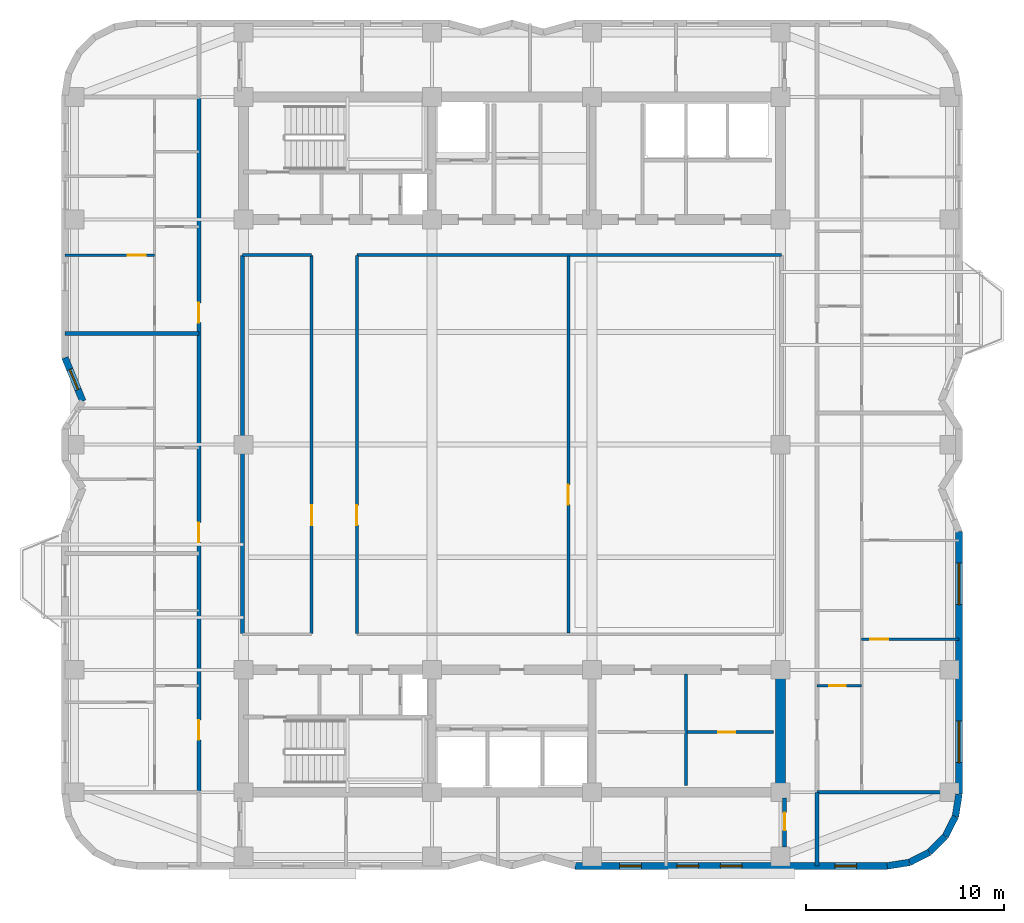
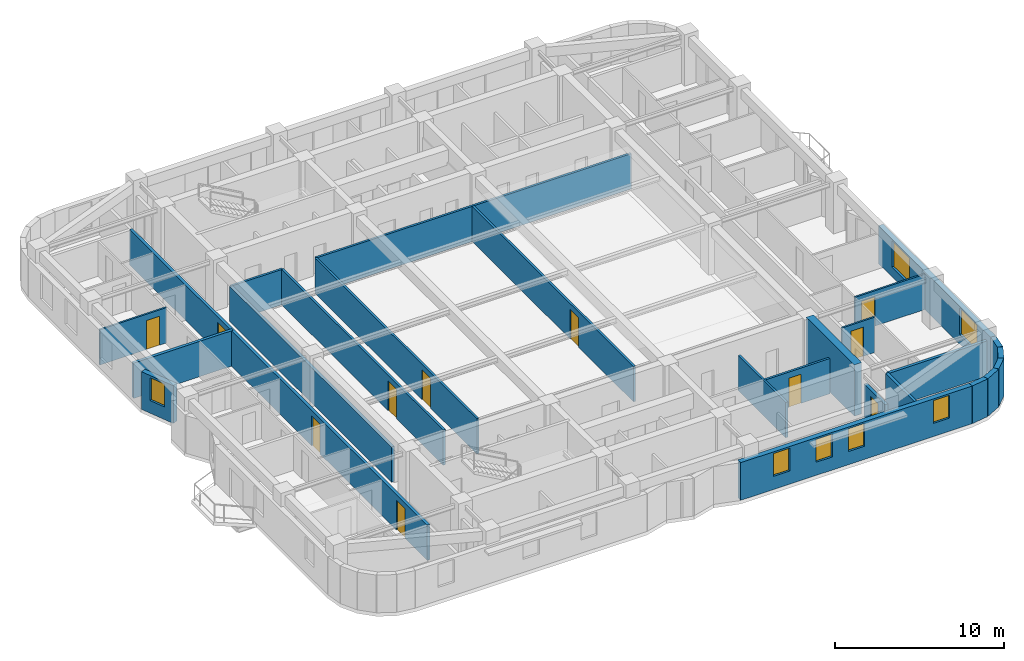
# One storey, part 4 of 9: 25 walls, 11 doors, 7 windows, 18 openings.
"""IFC4 building model written with IfcOpenShell, lengths in metres."""

from ifc_helpers import new_model, si_unit, direction, frame, frame_2d, origin, place, context, subcontext, project, spatial, rectangle, extrude, material, layer, layer_set, type_object, element, fill, save


model = new_model("IFC4")

# Units and contexts
model_context = context("Model", 3, precision=1e-05, world=origin(), true_north=direction((0.0, 1.0)))
body_context = subcontext(model_context, "Body", "Model", "MODEL_VIEW")
ifc_project = project(units=[si_unit("LENGTHUNIT", "METRE"), si_unit("AREAUNIT", "SQUARE_METRE"), si_unit("VOLUMEUNIT", "CUBIC_METRE"), si_unit("PLANEANGLEUNIT", "RADIAN"), si_unit("MASSUNIT", "GRAM", prefix="KILO")], contexts=[model_context])

# Site, building, storey
site_placement = place(None, origin())
site = spatial("IfcSite", under=ifc_project, at=site_placement, CompositionType="ELEMENT")
building_placement = place(site_placement, origin())
building = spatial("IfcBuilding", under=site, at=building_placement, Name="Svetorya Sky Lyceum", CompositionType="ELEMENT")
storey_placement = place(building_placement, frame((0.0, 0.0, 155.199951171875)))
storey = spatial("IfcBuildingStorey", under=building, at=storey_placement, Name="L38", CompositionType="ELEMENT", Elevation=155.199951171875)

# Wall
ifc_material_1 = material(Name="Concrete C50/60", Category="concrete")
ifc_layer_1 = layer(ifc_material_1, 0.5)
ifc_layer_set_1 = layer_set([ifc_layer_1], Name="Concrete C50/60")
wall_type_1 = type_object("IfcWallType", Name="WL-CORE-500", PredefinedType="SHEAR", material=ifc_layer_set_1)
wall_1_placement = place(storey_placement, frame((52.800048828125, 10.85009765625, 0.0), z_axis=(0.0, 0.0, 1.0), x_axis=(0.0, 1.0, 0.0)))
element("IfcWall", 1, at=wall_1_placement, inside=storey, type_object=wall_type_1, Name="L38 SC East Core Shear Wall", PredefinedType="SHEAR", context=body_context, shape_type="SweptSolid", body=[
    extrude(rectangle(XDim=5.699951171875, YDim=0.5, at=frame_2d((2.85009765625, 0.0))), origin(), (0.0, 0.0, 1.0), 3.699951171875),
])

# Wall, openings, windows
ifc_material_2 = material(Name="Putilovo limestone rainscreen on autoclaved cellular masonry", Category="masonry")
ifc_layer_2 = layer(ifc_material_2, 0.340087890625)
ifc_layer_set_2 = layer_set([ifc_layer_2], Name="Putilovo limestone rainscreen on autoclaved cellular masonry")
wall_type_2 = type_object("IfcWallType", Name="WL-EXT-340", PredefinedType="SOLIDWALL", material=ifc_layer_set_2)
wall_2_placement = place(storey_placement, frame((42.39990234375, 6.8701171875, 0.0), z_axis=(0.0, 0.0, 1.0), x_axis=(1.0, 0.0, 0.0)))
wall_2 = element("IfcWall", 2, at=wall_2_placement, inside=storey, type_object=wall_type_2, Name="L38 Limestone Exterior Wall 11M", PredefinedType="SOLIDWALL", context=body_context, shape_type="SweptSolid", body=[
    extrude(rectangle(XDim=15.800048828125, YDim=0.340087890625, at=frame_2d((7.89990234375, 0.0))), origin(), (0.0, 0.0, 1.0), 2.719970703125),
])
opening_1_placement = place(wall_2_placement, frame((2.25, 0.0, 0.949951171875)))
opening_1 = element("IfcOpeningElement", 3, at=opening_1_placement, cuts=wall_2, Name="Opening W-R3", PredefinedType="OPENING", context=body_context, shape_type="SweptSolid", body=[
    extrude(rectangle(XDim=1.10009765625, YDim=1.64990234375, at=frame_2d((0.550048828125, 0.824951171875))), frame((0.0, 0.179931640625, 0.0), z_axis=(0.0, -1.0, 0.0), x_axis=(1.0, 0.0, 0.0)), (0.0, 0.0, 1.0), 0.360107421875),
])
opening_2_placement = place(wall_2_placement, frame((5.14990234375, 0.0, 0.949951171875)))
opening_2 = element("IfcOpeningElement", 4, at=opening_2_placement, cuts=wall_2, Name="Opening W-R3", PredefinedType="OPENING", context=body_context, shape_type="SweptSolid", body=[
    extrude(rectangle(XDim=1.10009765625, YDim=1.64990234375, at=frame_2d((0.550048828125, 0.824951171875))), frame((0.0, 0.179931640625, 0.0), z_axis=(0.0, -1.0, 0.0), x_axis=(1.0, 0.0, 0.0)), (0.0, 0.0, 1.0), 0.360107421875),
])
opening_3_placement = place(wall_2_placement, frame((7.35009765625, 0.0, 0.949951171875)))
opening_3 = element("IfcOpeningElement", 5, at=opening_3_placement, cuts=wall_2, Name="Opening W-R3", PredefinedType="OPENING", context=body_context, shape_type="SweptSolid", body=[
    extrude(rectangle(XDim=1.10009765625, YDim=1.64990234375, at=frame_2d((0.550048828125, 0.824951171875))), frame((0.0, 0.179931640625, 0.0), z_axis=(0.0, -1.0, 0.0), x_axis=(1.0, 0.0, 0.0)), (0.0, 0.0, 1.0), 0.360107421875),
])
opening_4_placement = place(wall_2_placement, frame((13.14990234375, 0.0, 0.949951171875)))
opening_4 = element("IfcOpeningElement", 6, at=opening_4_placement, cuts=wall_2, Name="Opening W-R3", PredefinedType="OPENING", context=body_context, shape_type="SweptSolid", body=[
    extrude(rectangle(XDim=1.10009765625, YDim=1.64990234375, at=frame_2d((0.550048828125, 0.824951171875))), frame((0.0, 0.179931640625, 0.0), z_axis=(0.0, -1.0, 0.0), x_axis=(1.0, 0.0, 0.0)), (0.0, 0.0, 1.0), 0.360107421875),
])
ifc_material_3 = material(Name="Thermally broken aluminium frame with triple low-E glazing", Category="aluminium")
window_type_1 = type_object("IfcWindowType", Name="WN-RES-110", PartitioningType="SINGLE_PANEL", PredefinedType="WINDOW", material=ifc_material_3)
window_1_placement = place(opening_1_placement, origin())
window_1 = element("IfcWindow", 7, at=window_1_placement, inside=storey, type_object=window_type_1, Name="L38 Facade Window W-R3.11M.1", OverallHeight=1.64990234375, OverallWidth=1.10009765625, PartitioningType="SINGLE_PANEL", PredefinedType="WINDOW", context=body_context, shape_type="SweptSolid", body=[
    extrude(rectangle(XDim=1.10009765625, YDim=1.64990234375, at=frame_2d((0.550048828125, 0.824951171875))), frame((0.0, 0.030029296875, 0.0), z_axis=(0.0, -1.0, 0.0), x_axis=(1.0, 0.0, 0.0)), (0.0, 0.0, 1.0), 0.06005859375),
])
fill(opening_1, window_1)
window_2_placement = place(opening_2_placement, origin())
window_2 = element("IfcWindow", 8, at=window_2_placement, inside=storey, type_object=window_type_1, Name="L38 Facade Window W-R3.11M.2", OverallHeight=1.64990234375, OverallWidth=1.10009765625, PartitioningType="SINGLE_PANEL", PredefinedType="WINDOW", context=body_context, shape_type="SweptSolid", body=[
    extrude(rectangle(XDim=1.10009765625, YDim=1.64990234375, at=frame_2d((0.550048828125, 0.824951171875))), frame((0.0, 0.030029296875, 0.0), z_axis=(0.0, -1.0, 0.0), x_axis=(1.0, 0.0, 0.0)), (0.0, 0.0, 1.0), 0.06005859375),
])
fill(opening_2, window_2)
window_3_placement = place(opening_3_placement, origin())
window_3 = element("IfcWindow", 9, at=window_3_placement, inside=storey, type_object=window_type_1, Name="L38 Facade Window W-R3.11M.3", OverallHeight=1.64990234375, OverallWidth=1.10009765625, PartitioningType="SINGLE_PANEL", PredefinedType="WINDOW", context=body_context, shape_type="SweptSolid", body=[
    extrude(rectangle(XDim=1.10009765625, YDim=1.64990234375, at=frame_2d((0.550048828125, 0.824951171875))), frame((0.0, 0.030029296875, 0.0), z_axis=(0.0, -1.0, 0.0), x_axis=(1.0, 0.0, 0.0)), (0.0, 0.0, 1.0), 0.06005859375),
])
fill(opening_3, window_3)
window_4_placement = place(opening_4_placement, origin())
window_4 = element("IfcWindow", 10, at=window_4_placement, inside=storey, type_object=window_type_1, Name="L38 Facade Window W-R3.11M.4", OverallHeight=1.64990234375, OverallWidth=1.10009765625, PartitioningType="SINGLE_PANEL", PredefinedType="WINDOW", context=body_context, shape_type="SweptSolid", body=[
    extrude(rectangle(XDim=1.10009765625, YDim=1.64990234375, at=frame_2d((0.550048828125, 0.824951171875))), frame((0.0, 0.030029296875, 0.0), z_axis=(0.0, -1.0, 0.0), x_axis=(1.0, 0.0, 0.0)), (0.0, 0.0, 1.0), 0.06005859375),
])
fill(opening_4, window_4)

# Walls
for number, where, z_axis, x_axis, name in (
    (11, (58.199951171875, 6.8701171875, 0.0), (0.0, 0.0, 1.0), (0.987714116584, 0.156271634985, 0.0), "L38 Limestone Exterior Wall 12M"),
    (12, (59.32177734375, 7.047607421875, 0.0), (0.0, 0.0, 1.0), (0.891005044957, 0.453993402883, 0.0), "L38 Limestone Exterior Wall 13M"),
):
    element("IfcWall", number, at=place(storey_placement, frame(where, z_axis=z_axis, x_axis=x_axis)), inside=storey, type_object=wall_type_2, Name=name, PredefinedType="SOLIDWALL", context=body_context, shape_type="SweptSolid", body=[
        extrude(rectangle(XDim=1.1357421875, YDim=0.340087890625, at=frame_2d((0.56787109375, 0.0))), origin(), (0.0, 0.0, 1.0), 2.719970703125),
    ])
wall_3_placement = place(storey_placement, frame((60.333740234375, 7.563232421875, 0.0), z_axis=(0.0, 0.0, 1.0), x_axis=(0.707106781187, 0.707106781187, 0.0)))
element("IfcWall", 13, at=wall_3_placement, inside=storey, type_object=wall_type_2, Name="L38 Limestone Exterior Wall 14M", PredefinedType="SOLIDWALL", context=body_context, shape_type="SweptSolid", body=[
    extrude(rectangle(XDim=1.135498046875, YDim=0.340087890625, at=frame_2d((0.56787109375, 0.0))), origin(), (0.0, 0.0, 1.0), 2.719970703125),
])
wall_4_placement = place(storey_placement, frame((61.13671875, 8.3662109375, 0.0), z_axis=(0.0, 0.0, 1.0), x_axis=(0.45390646422, 0.891049337433, 0.0)))
element("IfcWall", 14, at=wall_4_placement, inside=storey, type_object=wall_type_2, Name="L38 Limestone Exterior Wall 15M", PredefinedType="SOLIDWALL", context=body_context, shape_type="SweptSolid", body=[
    extrude(rectangle(XDim=1.135986328125, YDim=0.340087890625, at=frame_2d((0.56787109375, 0.0))), origin(), (0.0, 0.0, 1.0), 2.719970703125),
])
wall_5_placement = place(storey_placement, frame((61.65234375, 9.37841796875, 0.0), z_axis=(0.0, 0.0, 1.0), x_axis=(0.156514556949, 0.987675651954, 0.0)))
element("IfcWall", 15, at=wall_5_placement, inside=storey, type_object=wall_type_2, Name="L38 Limestone Exterior Wall 16M", PredefinedType="SOLIDWALL", context=body_context, shape_type="SweptSolid", body=[
    extrude(rectangle(XDim=1.135498046875, YDim=0.340087890625, at=frame_2d((0.56787109375, 0.0))), origin(), (0.0, 0.0, 1.0), 2.719970703125),
])

# Wall, openings, windows
wall_6_placement = place(storey_placement, frame((61.830078125, 10.5, 0.0), z_axis=(0.0, 0.0, 1.0), x_axis=(0.0, 1.0, 0.0)))
wall_6 = element("IfcWall", 16, at=wall_6_placement, inside=storey, type_object=wall_type_2, Name="L38 Limestone Exterior Wall 17M", PredefinedType="SOLIDWALL", context=body_context, shape_type="SweptSolid", body=[
    extrude(rectangle(XDim=13.300048828125, YDim=0.340087890625, at=frame_2d((6.64990234375, 0.0))), origin(), (0.0, 0.0, 1.0), 2.719970703125),
])
opening_5_placement = place(wall_6_placement, frame((1.60009765625, 0.0, 0.699951171875)))
opening_5 = element("IfcOpeningElement", 17, at=opening_5_placement, cuts=wall_6, Name="Opening W-R0", PredefinedType="OPENING", context=body_context, shape_type="SweptSolid", body=[
    extrude(rectangle(XDim=2.10009765625, YDim=1.89990234375, at=frame_2d((1.050048828125, 0.949951171875))), frame((0.0, 0.179931640625, 0.0), z_axis=(0.0, -1.0, 0.0), x_axis=(1.0, 0.0, 0.0)), (0.0, 0.0, 1.0), 0.360107421875),
])
opening_6_placement = place(wall_6_placement, frame((9.60009765625, 0.0, 0.699951171875)))
opening_6 = element("IfcOpeningElement", 18, at=opening_6_placement, cuts=wall_6, Name="Opening W-R0", PredefinedType="OPENING", context=body_context, shape_type="SweptSolid", body=[
    extrude(rectangle(XDim=2.10009765625, YDim=1.89990234375, at=frame_2d((1.050048828125, 0.949951171875))), frame((0.0, 0.179931640625, 0.0), z_axis=(0.0, -1.0, 0.0), x_axis=(1.0, 0.0, 0.0)), (0.0, 0.0, 1.0), 0.360107421875),
])
window_type_2 = type_object("IfcWindowType", Name="WN-RES-210", PartitioningType="TRIPLE_PANEL_VERTICAL", PredefinedType="WINDOW", material=ifc_material_3)
window_5_placement = place(opening_5_placement, origin())
window_5 = element("IfcWindow", 19, at=window_5_placement, inside=storey, type_object=window_type_2, Name="L38 Facade Window W-R0.17M.1", OverallHeight=1.89990234375, OverallWidth=2.10009765625, PartitioningType="SINGLE_PANEL", PredefinedType="WINDOW", context=body_context, shape_type="SweptSolid", body=[
    extrude(rectangle(XDim=2.10009765625, YDim=1.89990234375, at=frame_2d((1.050048828125, 0.949951171875))), frame((0.0, 0.030029296875, 0.0), z_axis=(0.0, -1.0, 0.0), x_axis=(1.0, 0.0, 0.0)), (0.0, 0.0, 1.0), 0.06005859375),
])
fill(opening_5, window_5)
window_6_placement = place(opening_6_placement, origin())
window_6 = element("IfcWindow", 20, at=window_6_placement, inside=storey, type_object=window_type_2, Name="L38 Facade Window W-R0.17M.2", OverallHeight=1.89990234375, OverallWidth=2.10009765625, PartitioningType="SINGLE_PANEL", PredefinedType="WINDOW", context=body_context, shape_type="SweptSolid", body=[
    extrude(rectangle(XDim=2.10009765625, YDim=1.89990234375, at=frame_2d((1.050048828125, 0.949951171875))), frame((0.0, 0.030029296875, 0.0), z_axis=(0.0, -1.0, 0.0), x_axis=(1.0, 0.0, 0.0)), (0.0, 0.0, 1.0), 0.06005859375),
])
fill(opening_6, window_6)

# Wall, opening, window
wall_7_placement = place(storey_placement, frame((16.570068359375, 32.60009765625, 0.0), z_axis=(0.0, 0.0, 1.0), x_axis=(0.378568858991, -0.925573130013, 0.0)))
wall_7 = element("IfcWall", 21, at=wall_7_placement, inside=storey, type_object=wall_type_2, Name="L38 Limestone Exterior Wall 41M", PredefinedType="SOLIDWALL", context=body_context, shape_type="SweptSolid", body=[
    extrude(rectangle(XDim=2.377197265625, YDim=0.340087890625, at=frame_2d((1.1884765625, 0.0))), origin(), (0.0, 0.0, 1.0), 2.719970703125),
])
opening_7_placement = place(wall_7_placement, frame((0.638427734375, 0.0, 0.909912109375)))
opening_7 = element("IfcOpeningElement", 22, at=opening_7_placement, cuts=wall_7, Name="Opening W-R3", PredefinedType="OPENING", context=body_context, shape_type="SweptSolid", body=[
    extrude(rectangle(XDim=1.10009765625, YDim=1.64990234375, at=frame_2d((0.550048828125, 0.824951171875))), frame((0.0, 0.179931640625, 0.0), z_axis=(0.0, -1.0, 0.0), x_axis=(1.0, 0.0, 0.0)), (0.0, 0.0, 1.0), 0.360107421875),
])
window_7_placement = place(opening_7_placement, origin())
window_7 = element("IfcWindow", 23, at=window_7_placement, inside=storey, type_object=window_type_1, Name="L38 Facade Window W-R3.41M.1", OverallHeight=1.64990234375, OverallWidth=1.10009765625, PartitioningType="SINGLE_PANEL", PredefinedType="WINDOW", context=body_context, shape_type="SweptSolid", body=[
    extrude(rectangle(XDim=1.10009765625, YDim=1.64990234375, at=frame_2d((0.550048828125, 0.824951171875))), frame((0.0, 0.030029296875, 0.0), z_axis=(0.0, -1.0, 0.0), x_axis=(1.0, 0.0, 0.0)), (0.0, 0.0, 1.0), 0.06005859375),
])
fill(opening_7, window_7)

# Wall, opening, door
ifc_material_4 = material(Name="Twin-stud galvanized framing with double fireboard", Category="gypsum")
ifc_layer_3 = layer(ifc_material_4, 0.1201171875)
ifc_layer_set_3 = layer_set([ifc_layer_3], Name="Twin-stud galvanized framing with double fireboard")
wall_type_3 = type_object("IfcWallType", Name="WL-PART-120", PredefinedType="PARTITIONING", material=ifc_layer_set_3)
wall_8_placement = place(storey_placement, frame((16.570068359375, 37.781982421875, 0.0), z_axis=(0.0, 0.0, 1.0), x_axis=(1.0, 0.0, 0.0)))
wall_8 = element("IfcWall", 24, at=wall_8_placement, inside=storey, type_object=wall_type_3, Name="L38 Interior Partition W3-WL1", PredefinedType="PARTITIONING", context=body_context, shape_type="SweptSolid", body=[
    extrude(rectangle(XDim=4.530029296875, YDim=0.1201171875, at=frame_2d((2.26513671875, 0.0))), origin(), (0.0, 0.0, 1.0), 2.550048828125),
])
opening_8_placement = place(wall_8_placement, frame((3.179931640625, 0.0, 0.0)))
opening_8 = element("IfcOpeningElement", 25, at=opening_8_placement, cuts=wall_8, Name="Opening D-RM1", PredefinedType="OPENING", context=body_context, shape_type="SweptSolid", body=[
    extrude(rectangle(XDim=0.89990234375, YDim=2.10009765625, at=frame_2d((0.449951171875, 1.050048828125))), frame((0.0, 0.070068359375, 0.0), z_axis=(0.0, -1.0, 0.0), x_axis=(1.0, 0.0, 0.0)), (0.0, 0.0, 1.0), 0.14013671875),
])
ifc_material_5 = material(Name="Lacquered birch veneer internal door")
door_type_1 = type_object("IfcDoorType", Name="DR-INT-900", OperationType="SINGLE_SWING_LEFT", PredefinedType="DOOR", material=ifc_material_5)
door_1_placement = place(opening_8_placement, origin())
door_1 = element("IfcDoor", 26, at=door_1_placement, inside=storey, type_object=door_type_1, Name="Apartment W3 Master Bedroom Door", OperationType="SINGLE_SWING_LEFT", OverallHeight=2.10009765625, OverallWidth=0.89990234375, PredefinedType="DOOR", context=body_context, shape_type="SweptSolid", body=[
    extrude(rectangle(XDim=0.89990234375, YDim=2.10009765625, at=frame_2d((0.449951171875, 1.050048828125))), frame((0.0, 0.02490234375, 0.0), z_axis=(0.0, -1.0, 0.0), x_axis=(1.0, 0.0, 0.0)), (0.0, 0.0, 1.0), 0.050048828125),
])
fill(opening_8, door_1)

wall_9_placement = place(storey_placement, frame((54.64990234375, 16.0, 0.0), z_axis=(0.0, 0.0, 1.0), x_axis=(1.0, 0.0, 0.0)))
wall_9 = element("IfcWall", 27, at=wall_9_placement, inside=storey, type_object=wall_type_3, Name="L38 Interior Partition E1-WH1", PredefinedType="PARTITIONING", context=body_context, shape_type="SweptSolid", body=[
    extrude(rectangle(XDim=2.25, YDim=0.1201171875, at=frame_2d((1.125, 0.0))), origin(), (0.0, 0.0, 1.0), 2.550048828125),
])
opening_9_placement = place(wall_9_placement, frame((0.60009765625, 0.0, 0.0)))
opening_9 = element("IfcOpeningElement", 28, at=opening_9_placement, cuts=wall_9, Name="Opening D-BT1", PredefinedType="OPENING", context=body_context, shape_type="SweptSolid", body=[
    extrude(rectangle(XDim=0.85009765625, YDim=2.10009765625, at=frame_2d((0.425048828125, 1.050048828125))), frame((0.0, 0.070068359375, 0.0), z_axis=(0.0, -1.0, 0.0), x_axis=(1.0, 0.0, 0.0)), (0.0, 0.0, 1.0), 0.14013671875),
])
ifc_material_6 = material(Name="Moisture-resistant laminate bathroom door")
door_type_2 = type_object("IfcDoorType", Name="DR-WET-850", OperationType="SINGLE_SWING_LEFT", PredefinedType="DOOR", material=ifc_material_6)
door_2_placement = place(opening_9_placement, origin())
door_2 = element("IfcDoor", 29, at=door_2_placement, inside=storey, type_object=door_type_2, Name="Apartment E1 Bathroom Door", OperationType="SINGLE_SWING_RIGHT", OverallHeight=2.10009765625, OverallWidth=0.85009765625, PredefinedType="DOOR", context=body_context, shape_type="SweptSolid", body=[
    extrude(rectangle(XDim=0.85009765625, YDim=2.10009765625, at=frame_2d((0.425048828125, 1.050048828125))), frame((0.0, 0.02490234375, 0.0), z_axis=(0.0, -1.0, 0.0), x_axis=(1.0, 0.0, 0.0)), (0.0, 0.0, 1.0), 0.050048828125),
])
fill(opening_9, door_2)

wall_10_placement = place(storey_placement, frame((56.89990234375, 18.35009765625, 0.0), z_axis=(0.0, 0.0, 1.0), x_axis=(1.0, 0.0, 0.0)))
wall_10 = element("IfcWall", 30, at=wall_10_placement, inside=storey, type_object=wall_type_3, Name="L38 Interior Partition E1-WL1", PredefinedType="PARTITIONING", context=body_context, shape_type="SweptSolid", body=[
    extrude(rectangle(XDim=4.93017578125, YDim=0.1201171875, at=frame_2d((2.465087890625, 0.0))), origin(), (0.0, 0.0, 1.0), 2.550048828125),
])
opening_10_placement = place(wall_10_placement, frame((0.449951171875, 0.0, 0.0)))
opening_10 = element("IfcOpeningElement", 31, at=opening_10_placement, cuts=wall_10, Name="Opening D-RM1", PredefinedType="OPENING", context=body_context, shape_type="SweptSolid", body=[
    extrude(rectangle(XDim=0.89990234375, YDim=2.10009765625, at=frame_2d((0.449951171875, 1.050048828125))), frame((0.0, 0.070068359375, 0.0), z_axis=(0.0, -1.0, 0.0), x_axis=(1.0, 0.0, 0.0)), (0.0, 0.0, 1.0), 0.14013671875),
])
door_3_placement = place(opening_10_placement, origin())
door_3 = element("IfcDoor", 32, at=door_3_placement, inside=storey, type_object=door_type_1, Name="Apartment E1 Master Bedroom Door", OperationType="SINGLE_SWING_RIGHT", OverallHeight=2.10009765625, OverallWidth=0.89990234375, PredefinedType="DOOR", context=body_context, shape_type="SweptSolid", body=[
    extrude(rectangle(XDim=0.89990234375, YDim=2.10009765625, at=frame_2d((0.449951171875, 1.050048828125))), frame((0.0, 0.02490234375, 0.0), z_axis=(0.0, -1.0, 0.0), x_axis=(1.0, 0.0, 0.0)), (0.0, 0.0, 1.0), 0.050048828125),
])
fill(opening_10, door_3)

# Wall
ifc_material_7 = material(Name="Autoclaved cellular masonry blockwork with acoustic render", Category="masonry")
ifc_layer_4 = layer(ifc_material_7, 0.14990234375)
ifc_layer_set_4 = layer_set([ifc_layer_4], Name="Autoclaved cellular masonry blockwork with acoustic render")
wall_type_4 = type_object("IfcWallType", Name="WL-PART-150", PredefinedType="PARTITIONING", material=ifc_layer_set_4)
wall_11_placement = place(storey_placement, frame((48.0, 10.949951171875, 0.0), z_axis=(0.0, 0.0, 1.0), x_axis=(0.0, 1.0, 0.0)))
element("IfcWall", 33, at=wall_11_placement, inside=storey, type_object=wall_type_4, Name="L38 Interior Partition SC-LV7-V", PredefinedType="PARTITIONING", context=body_context, shape_type="SweptSolid", body=[
    extrude(rectangle(XDim=5.630126953125, YDim=0.14990234375, at=frame_2d((2.81494140625, 0.0))), origin(), (0.0, 0.0, 1.0), 2.550048828125),
])

# Wall, opening, door
wall_12_placement = place(storey_placement, frame((48.050048828125, 13.64990234375, 0.0), z_axis=(0.0, 0.0, 1.0), x_axis=(1.0, 0.0, 0.0)))
wall_12 = element("IfcWall", 34, at=wall_12_placement, inside=storey, type_object=wall_type_4, Name="L38 Interior Partition SC-LV7-HE", PredefinedType="PARTITIONING", context=body_context, shape_type="SweptSolid", body=[
    extrude(rectangle(XDim=4.39990234375, YDim=0.14990234375, at=frame_2d((2.199951171875, 0.0))), origin(), (0.0, 0.0, 1.0), 2.550048828125),
])
opening_11_placement = place(wall_12_placement, frame((1.60009765625, 0.0, 0.0)))
opening_11 = element("IfcOpeningElement", 35, at=opening_11_placement, cuts=wall_12, Name="Opening D-CWC1", PredefinedType="OPENING", context=body_context, shape_type="SweptSolid", body=[
    extrude(rectangle(XDim=0.85009765625, YDim=2.10009765625, at=frame_2d((0.425048828125, 1.050048828125))), frame((0.0, 0.0849609375, 0.0), z_axis=(0.0, -1.0, 0.0), x_axis=(1.0, 0.0, 0.0)), (0.0, 0.0, 1.0), 0.169921875),
])
ifc_material_8 = material(Name="Fire-rated galvanized steel core service closet door", Category="steel")
door_type_3 = type_object("IfcDoorType", Name="DR-CWET-850", OperationType="SINGLE_SWING_LEFT", PredefinedType="DOOR", material=ifc_material_8)
door_4_placement = place(opening_11_placement, origin())
door_4 = element("IfcDoor", 36, at=door_4_placement, inside=storey, type_object=door_type_3, Name="L38 South Server Closet Door", OperationType="SINGLE_SWING_RIGHT", OverallHeight=2.10009765625, OverallWidth=0.85009765625, PredefinedType="DOOR", context=body_context, shape_type="SweptSolid", body=[
    extrude(rectangle(XDim=0.85009765625, YDim=2.10009765625, at=frame_2d((0.425048828125, 1.050048828125))), frame((0.0, 0.02490234375, 0.0), z_axis=(0.0, -1.0, 0.0), x_axis=(1.0, 0.0, 0.0)), (0.0, 0.0, 1.0), 0.050048828125),
])
fill(opening_11, door_4)

# Walls
wall_13_placement = place(storey_placement, frame((25.550048828125, 37.800048828125, 0.0), z_axis=(0.0, 0.0, 1.0), x_axis=(1.0, 0.0, 0.0)))
element("IfcWall", 37, at=wall_13_placement, inside=storey, type_object=wall_type_4, Name="L38 Interior Partition OFF-CN-W", PredefinedType="PARTITIONING", context=body_context, shape_type="SweptSolid", body=[
    extrude(rectangle(XDim=3.5, YDim=0.14990234375, at=frame_2d((1.75, 0.0))), origin(), (0.0, 0.0, 1.0), 2.550048828125),
])
wall_14_placement = place(storey_placement, frame((31.35009765625, 37.800048828125, 0.0), z_axis=(0.0, 0.0, 1.0), x_axis=(1.0, 0.0, 0.0)))
element("IfcWall", 38, at=wall_14_placement, inside=storey, type_object=wall_type_4, Name="L38 Interior Partition OFF-CN-E", PredefinedType="PARTITIONING", context=body_context, shape_type="SweptSolid", body=[
    extrude(rectangle(XDim=21.5, YDim=0.14990234375, at=frame_2d((10.75, 0.0))), origin(), (0.0, 0.0, 1.0), 2.550048828125),
])

# Wall, opening, door
wall_15_placement = place(storey_placement, frame((42.06005859375, 18.659912109375, 0.0), z_axis=(0.0, 0.0, 1.0), x_axis=(0.0, 1.0, 0.0)))
wall_15 = element("IfcWall", 39, at=wall_15_placement, inside=storey, type_object=wall_type_4, Name="L38 Interior Partition OFF-VEMID", PredefinedType="PARTITIONING", context=body_context, shape_type="SweptSolid", body=[
    extrude(rectangle(XDim=19.080078125, YDim=0.14990234375, at=frame_2d((9.5400390625, 0.0))), origin(), (0.0, 0.0, 1.0), 2.550048828125),
])
opening_12_placement = place(wall_15_placement, frame((6.5, 0.0, 0.0)))
opening_12 = element("IfcOpeningElement", 40, at=opening_12_placement, cuts=wall_15, Name="Opening D-RM2", PredefinedType="OPENING", context=body_context, shape_type="SweptSolid", body=[
    extrude(rectangle(XDim=1.0, YDim=2.14990234375, at=frame_2d((0.5, 1.074951171875))), frame((0.0, 0.0849609375, 0.0), z_axis=(0.0, -1.0, 0.0), x_axis=(1.0, 0.0, 0.0)), (0.0, 0.0, 1.0), 0.169921875),
])
ifc_material_9 = material(Name="Solid-core oak acoustic room door")
door_type_4 = type_object("IfcDoorType", Name="DR-INT-1000", OperationType="SINGLE_SWING_LEFT", PredefinedType="DOOR", material=ifc_material_9)
door_5_placement = place(opening_12_placement, origin())
door_5 = element("IfcDoor", 41, at=door_5_placement, inside=storey, type_object=door_type_4, Name="L38 Recreation Door", OperationType="SINGLE_SWING_LEFT", OverallHeight=2.14990234375, OverallWidth=1.0, PredefinedType="DOOR", context=body_context, shape_type="SweptSolid", body=[
    extrude(rectangle(XDim=1.0, YDim=2.14990234375, at=frame_2d((0.5, 1.074951171875))), frame((0.0, 0.02490234375, 0.0), z_axis=(0.0, -1.0, 0.0), x_axis=(1.0, 0.0, 0.0)), (0.0, 0.0, 1.0), 0.050048828125),
])
fill(opening_12, door_5)

wall_16_placement = place(storey_placement, frame((29.050048828125, 18.6298828125, 0.0), z_axis=(0.0, 0.0, 1.0), x_axis=(0.0, 1.0, 0.0)))
wall_16 = element("IfcWall", 42, at=wall_16_placement, inside=storey, type_object=wall_type_4, Name="L38 Interior Partition OFF-VW", PredefinedType="PARTITIONING", context=body_context, shape_type="SweptSolid", body=[
    extrude(rectangle(XDim=19.14013671875, YDim=0.14990234375, at=frame_2d((9.570068359375, 0.0))), origin(), (0.0, 0.0, 1.0), 2.550048828125),
])
opening_13_placement = place(wall_16_placement, frame((5.5, 0.0, 0.0)))
opening_13 = element("IfcOpeningElement", 43, at=opening_13_placement, cuts=wall_16, Name="Opening D-RM2", PredefinedType="OPENING", context=body_context, shape_type="SweptSolid", body=[
    extrude(rectangle(XDim=1.0, YDim=2.14990234375, at=frame_2d((0.5, 1.074951171875))), frame((0.0, 0.0849609375, 0.0), z_axis=(0.0, -1.0, 0.0), x_axis=(1.0, 0.0, 0.0)), (0.0, 0.0, 1.0), 0.169921875),
])
door_6_placement = place(opening_13_placement, origin())
door_6 = element("IfcDoor", 44, at=door_6_placement, inside=storey, type_object=door_type_4, Name="L38 West Office Door", OperationType="SINGLE_SWING_LEFT", OverallHeight=2.14990234375, OverallWidth=1.0, PredefinedType="DOOR", context=body_context, shape_type="SweptSolid", body=[
    extrude(rectangle(XDim=1.0, YDim=2.14990234375, at=frame_2d((0.5, 1.074951171875))), frame((0.0, 0.02490234375, 0.0), z_axis=(0.0, -1.0, 0.0), x_axis=(1.0, 0.0, 0.0)), (0.0, 0.0, 1.0), 0.050048828125),
])
fill(opening_13, door_6)

wall_17_placement = place(storey_placement, frame((31.35009765625, 18.6298828125, 0.0), z_axis=(0.0, 0.0, 1.0), x_axis=(0.0, 1.0, 0.0)))
wall_17 = element("IfcWall", 45, at=wall_17_placement, inside=storey, type_object=wall_type_4, Name="L38 Interior Partition OFF-VE", PredefinedType="PARTITIONING", context=body_context, shape_type="SweptSolid", body=[
    extrude(rectangle(XDim=19.14013671875, YDim=0.14990234375, at=frame_2d((9.570068359375, 0.0))), origin(), (0.0, 0.0, 1.0), 2.550048828125),
])
opening_14_placement = place(wall_17_placement, frame((5.5, 0.0, 0.0)))
opening_14 = element("IfcOpeningElement", 46, at=opening_14_placement, cuts=wall_17, Name="Opening D-RM2", PredefinedType="OPENING", context=body_context, shape_type="SweptSolid", body=[
    extrude(rectangle(XDim=1.0, YDim=2.14990234375, at=frame_2d((0.5, 1.074951171875))), frame((0.0, 0.0849609375, 0.0), z_axis=(0.0, -1.0, 0.0), x_axis=(1.0, 0.0, 0.0)), (0.0, 0.0, 1.0), 0.169921875),
])
door_7_placement = place(opening_14_placement, origin())
door_7 = element("IfcDoor", 47, at=door_7_placement, inside=storey, type_object=door_type_4, Name="L38 Seminar Door", OperationType="SINGLE_SWING_RIGHT", OverallHeight=2.14990234375, OverallWidth=1.0, PredefinedType="DOOR", context=body_context, shape_type="SweptSolid", body=[
    extrude(rectangle(XDim=1.0, YDim=2.14990234375, at=frame_2d((0.5, 1.074951171875))), frame((0.0, 0.02490234375, 0.0), z_axis=(0.0, -1.0, 0.0), x_axis=(1.0, 0.0, 0.0)), (0.0, 0.0, 1.0), 0.050048828125),
])
fill(opening_14, door_7)

# Walls
ifc_material_10 = material(Name="Autoclaved cellular masonry blockwork with gypsum plaster", Category="masonry")
ifc_layer_5 = layer(ifc_material_10, 0.199951171875)
ifc_layer_set_5 = layer_set([ifc_layer_5], Name="Autoclaved cellular masonry blockwork with gypsum plaster")
wall_type_5 = type_object("IfcWallType", Name="WL-PART-200", PredefinedType="PARTITIONING", material=ifc_layer_set_5)
wall_18_placement = place(storey_placement, frame((25.550048828125, 18.6298828125, 0.0), z_axis=(0.0, 0.0, 1.0), x_axis=(0.0, 1.0, 0.0)))
element("IfcWall", 48, at=wall_18_placement, inside=storey, type_object=wall_type_5, Name="L38 Interior Partition W-CEN-SEP", PredefinedType="PARTITIONING", context=body_context, shape_type="SweptSolid", body=[
    extrude(rectangle(XDim=19.14013671875, YDim=0.199951171875, at=frame_2d((9.570068359375, 0.0))), origin(), (0.0, 0.0, 1.0), 2.550048828125),
])
wall_19_placement = place(storey_placement, frame((16.570068359375, 33.83203125, 0.0), z_axis=(0.0, 0.0, 1.0), x_axis=(1.0, 0.0, 0.0)))
element("IfcWall", 49, at=wall_19_placement, inside=storey, type_object=wall_type_5, Name="L38 Interior Partition W-PARTY-2", PredefinedType="PARTITIONING", context=body_context, shape_type="SweptSolid", body=[
    extrude(rectangle(XDim=6.780029296875, YDim=0.199951171875, at=frame_2d((3.39013671875, 0.0))), origin(), (0.0, 0.0, 1.0), 2.550048828125),
])

# Wall, openings, doors
wall_20_placement = place(storey_placement, frame((23.35009765625, 10.60009765625, 0.0), z_axis=(0.0, 0.0, 1.0), x_axis=(0.0, 1.0, 0.0)))
wall_20 = element("IfcWall", 50, at=wall_20_placement, inside=storey, type_object=wall_type_5, Name="L38 Interior Partition W-CORRW", PredefinedType="PARTITIONING", context=body_context, shape_type="SweptSolid", body=[
    extrude(rectangle(XDim=35.199951171875, YDim=0.199951171875, at=frame_2d((17.60009765625, 0.0))), origin(), (0.0, 0.0, 1.0), 2.550048828125),
])
opening_15_placement = place(wall_20_placement, frame((2.64990234375, 0.0, 0.0)))
opening_15 = element("IfcOpeningElement", 51, at=opening_15_placement, cuts=wall_20, Name="Opening D-APT1", PredefinedType="OPENING", context=body_context, shape_type="SweptSolid", body=[
    extrude(rectangle(XDim=1.0, YDim=2.14990234375, at=frame_2d((0.5, 1.074951171875))), frame((0.0, 0.10986328125, 0.0), z_axis=(0.0, -1.0, 0.0), x_axis=(1.0, 0.0, 0.0)), (0.0, 0.0, 1.0), 0.219970703125),
])
opening_16_placement = place(wall_20_placement, frame((12.64990234375, 0.0, 0.0)))
opening_16 = element("IfcOpeningElement", 52, at=opening_16_placement, cuts=wall_20, Name="Opening D-APT1", PredefinedType="OPENING", context=body_context, shape_type="SweptSolid", body=[
    extrude(rectangle(XDim=1.0, YDim=2.14990234375, at=frame_2d((0.5, 1.074951171875))), frame((0.0, 0.10986328125, 0.0), z_axis=(0.0, -1.0, 0.0), x_axis=(1.0, 0.0, 0.0)), (0.0, 0.0, 1.0), 0.219970703125),
])
opening_17_placement = place(wall_20_placement, frame((23.781982421875, 0.0, 0.0)))
opening_17 = element("IfcOpeningElement", 53, at=opening_17_placement, cuts=wall_20, Name="Opening D-APT1", PredefinedType="OPENING", context=body_context, shape_type="SweptSolid", body=[
    extrude(rectangle(XDim=1.0, YDim=2.14990234375, at=frame_2d((0.5, 1.074951171875))), frame((0.0, 0.10986328125, 0.0), z_axis=(0.0, -1.0, 0.0), x_axis=(1.0, 0.0, 0.0)), (0.0, 0.0, 1.0), 0.219970703125),
])
ifc_material_11 = material(Name="Insulated oak-veneered apartment entrance door")
door_type_5 = type_object("IfcDoorType", Name="DR-APT-1000", OperationType="SINGLE_SWING_LEFT", PredefinedType="DOOR", material=ifc_material_11)
door_8_placement = place(opening_15_placement, origin())
door_8 = element("IfcDoor", 54, at=door_8_placement, inside=storey, type_object=door_type_5, Name="L38 Apartment W1 Entrance Door", OperationType="SINGLE_SWING_LEFT", OverallHeight=2.14990234375, OverallWidth=1.0, PredefinedType="DOOR", context=body_context, shape_type="SweptSolid", body=[
    extrude(rectangle(XDim=1.0, YDim=2.14990234375, at=frame_2d((0.5, 1.074951171875))), frame((0.0, 0.02490234375, 0.0), z_axis=(0.0, -1.0, 0.0), x_axis=(1.0, 0.0, 0.0)), (0.0, 0.0, 1.0), 0.050048828125),
])
fill(opening_15, door_8)
door_9_placement = place(opening_16_placement, origin())
door_9 = element("IfcDoor", 55, at=door_9_placement, inside=storey, type_object=door_type_5, Name="L38 Apartment W2 Entrance Door", OperationType="SINGLE_SWING_RIGHT", OverallHeight=2.14990234375, OverallWidth=1.0, PredefinedType="DOOR", context=body_context, shape_type="SweptSolid", body=[
    extrude(rectangle(XDim=1.0, YDim=2.14990234375, at=frame_2d((0.5, 1.074951171875))), frame((0.0, 0.02490234375, 0.0), z_axis=(0.0, -1.0, 0.0), x_axis=(1.0, 0.0, 0.0)), (0.0, 0.0, 1.0), 0.050048828125),
])
fill(opening_16, door_9)
door_10_placement = place(opening_17_placement, origin())
door_10 = element("IfcDoor", 56, at=door_10_placement, inside=storey, type_object=door_type_5, Name="L38 Apartment W3 Entrance Door", OperationType="SINGLE_SWING_LEFT", OverallHeight=2.14990234375, OverallWidth=1.0, PredefinedType="DOOR", context=body_context, shape_type="SweptSolid", body=[
    extrude(rectangle(XDim=1.0, YDim=2.14990234375, at=frame_2d((0.5, 1.074951171875))), frame((0.0, 0.02490234375, 0.0), z_axis=(0.0, -1.0, 0.0), x_axis=(1.0, 0.0, 0.0)), (0.0, 0.0, 1.0), 0.050048828125),
])
fill(opening_17, door_10)

# Walls
wall_21_placement = place(storey_placement, frame((54.64990234375, 10.60009765625, 0.0), z_axis=(0.0, 0.0, 1.0), x_axis=(1.0, 0.0, 0.0)))
element("IfcWall", 57, at=wall_21_placement, inside=storey, type_object=wall_type_5, Name="L38 Interior Partition E-CAP-S", PredefinedType="PARTITIONING", context=body_context, shape_type="SweptSolid", body=[
    extrude(rectangle(XDim=6.760009765625, YDim=0.199951171875, at=frame_2d((3.3798828125, 0.0))), origin(), (0.0, 0.0, 1.0), 2.550048828125),
])
wall_22_placement = place(storey_placement, frame((54.64990234375, 6.8701171875, 0.0), z_axis=(0.0, 0.0, 1.0), x_axis=(0.0, 1.0, 0.0)))
element("IfcWall", 58, at=wall_22_placement, inside=storey, type_object=wall_type_5, Name="L38 Interior Partition EC-SE-END", PredefinedType="PARTITIONING", context=body_context, shape_type="SweptSolid", body=[
    extrude(rectangle(XDim=3.72998046875, YDim=0.199951171875, at=frame_2d((1.864990234375, 0.0))), origin(), (0.0, 0.0, 1.0), 2.550048828125),
])

# Wall, opening, door
wall_23_placement = place(storey_placement, frame((53.0, 7.820068359375, 0.0), z_axis=(0.0, 0.0, 1.0), x_axis=(0.0, 1.0, 0.0)))
wall_23 = element("IfcWall", 59, at=wall_23_placement, inside=storey, type_object=wall_type_5, Name="L38 Interior Partition S4-EE", PredefinedType="PARTITIONING", context=body_context, shape_type="SweptSolid", body=[
    extrude(rectangle(XDim=2.47998046875, YDim=0.199951171875, at=frame_2d((1.239990234375, 0.0))), origin(), (0.0, 0.0, 1.0), 2.550048828125),
])
opening_18_placement = place(wall_23_placement, frame((0.85009765625, 0.0, 0.0)))
opening_18 = element("IfcOpeningElement", 60, at=opening_18_placement, cuts=wall_23, Name="Opening D-RM1", PredefinedType="OPENING", context=body_context, shape_type="SweptSolid", body=[
    extrude(rectangle(XDim=0.89990234375, YDim=2.10009765625, at=frame_2d((0.449951171875, 1.050048828125))), frame((0.0, 0.10986328125, 0.0), z_axis=(0.0, -1.0, 0.0), x_axis=(1.0, 0.0, 0.0)), (0.0, 0.0, 1.0), 0.219970703125),
])
door_11_placement = place(opening_18_placement, origin())
door_11 = element("IfcDoor", 61, at=door_11_placement, inside=storey, type_object=door_type_1, Name="L38 SE Meeting Door", OperationType="SINGLE_SWING_RIGHT", OverallHeight=2.10009765625, OverallWidth=0.89990234375, PredefinedType="DOOR", context=body_context, shape_type="SweptSolid", body=[
    extrude(rectangle(XDim=0.89990234375, YDim=2.10009765625, at=frame_2d((0.449951171875, 1.050048828125))), frame((0.0, 0.02490234375, 0.0), z_axis=(0.0, -1.0, 0.0), x_axis=(1.0, 0.0, 0.0)), (0.0, 0.0, 1.0), 0.050048828125),
])
fill(opening_18, door_11)

save(model, "model.ifc")
